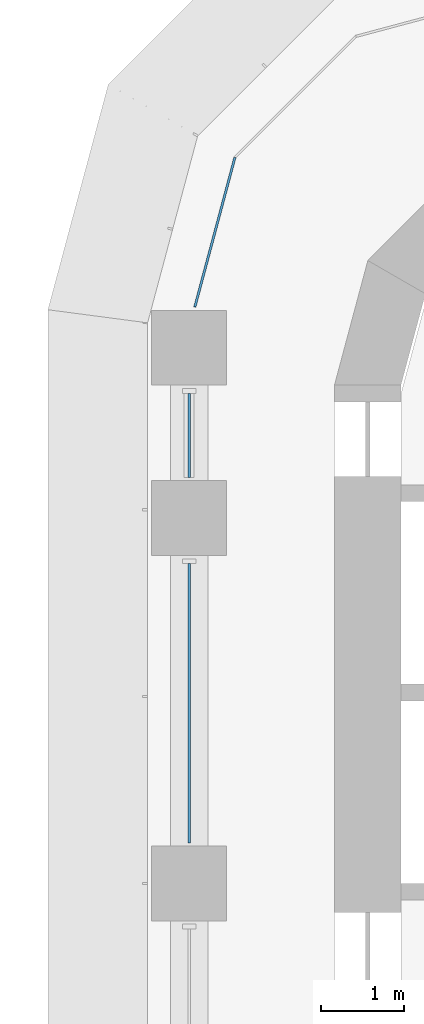
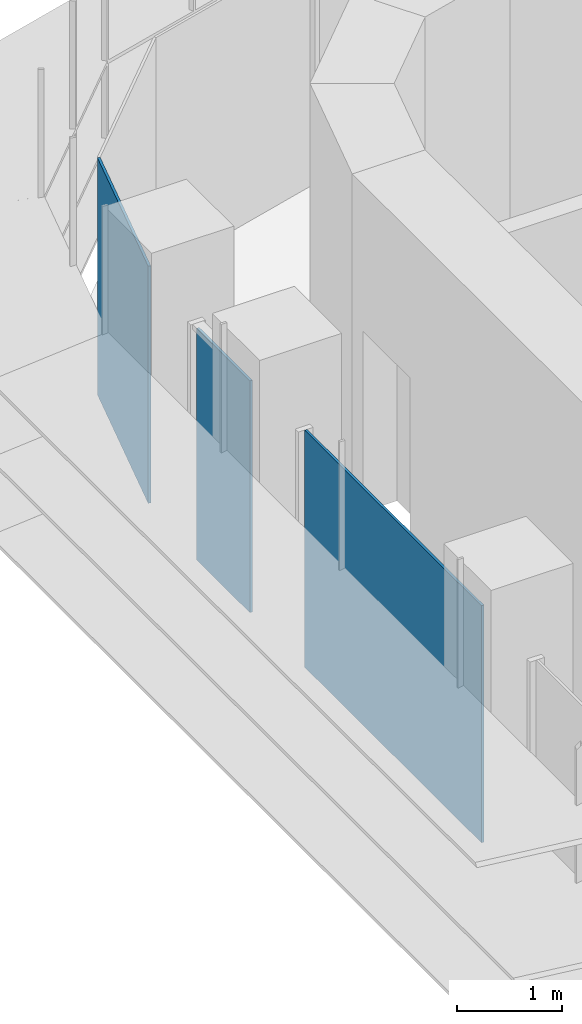
# One storey, part 13 of 22: 3 plates, 2 elements without a shape of their own.
"""IFC4 building model written with IfcOpenShell, lengths in metres."""

from ifc_helpers import new_model, si_unit, direction, frame, origin, place, context, subcontext, project, spatial, polyline, outline, extrude, source, transform, mapped, material, layer, layer_set, type_object, element, aggregate, save


model = new_model("IFC4")

# Units and contexts
model_context = context("Model", 3, precision=1e-05, world=origin(), true_north=direction((0.0, 1.0)))
body_context = subcontext(model_context, "Body", "Model", "MODEL_VIEW")
ifc_project = project(units=[si_unit("LENGTHUNIT", "METRE"), si_unit("AREAUNIT", "SQUARE_METRE"), si_unit("VOLUMEUNIT", "CUBIC_METRE"), si_unit("PLANEANGLEUNIT", "RADIAN"), si_unit("MASSUNIT", "GRAM", prefix="KILO")], contexts=[model_context])

# Site, building, storey
site_placement = place(None, origin())
site = spatial("IfcSite", under=ifc_project, at=site_placement, CompositionType="ELEMENT")
building_placement = place(site_placement, origin())
building = spatial("IfcBuilding", under=site, at=building_placement, Name="Zarbagh Exchange Tower", CompositionType="ELEMENT")
storey_placement = place(building_placement, frame((0.0, 0.0, 98.0)))
storey = spatial("IfcBuildingStorey", under=building, at=storey_placement, Name="L22", CompositionType="ELEMENT", Elevation=98.0)

# Curtain wall, plate
ifc_material_1 = material(Name="Anodised aluminium frame and glazing", Category="aluminium")
curtain_wall_type = type_object("IfcCurtainWallType", Name="CWA Ribbon glazing, lower zones", PredefinedType="NOTDEFINED", material=ifc_material_1)
curtain_wall_1_placement = place(storey_placement, origin())
curtain_wall_1 = element("IfcCurtainWall", 1, at=curtain_wall_1_placement, inside=storey, type_object=curtain_wall_type, Name="CWA56 curtain wall", PredefinedType="NOTDEFINED")
ifc_material_2 = material(Name="Low-e double glazed unit, 6+12+6 mm")
ifc_layer = layer(ifc_material_2, 0.028076171875)
ifc_layer_set = layer_set([ifc_layer], Name="PAA Glazing panel, Low-e double glazed unit, 6+12+6 mm")
plate_type = type_object("IfcPlateType", Name="PAA Glazing panel, Low-e double glazed unit, 6+12+6 mm", PredefinedType="CURTAIN_PANEL", material=ifc_layer_set)
shared_shape_1 = source(origin(), body_context, "Body", "SweptSolid", [
    extrude(outline(polyline([(0.0, -0.013916015625), (3.360107421875, -0.013916015625), (3.360107421875, 0.013916015625), (0.0, 0.013916015625), (0.0, -0.013916015625)])), origin(), (0.0, 0.0, 1.0), 2.75),
])
placement = place(storey_placement, origin())
plate_1 = element("IfcPlate", 2, at=placement, type_object=plate_type, Name="CWA56 glazing panel 2.1", PredefinedType="CURTAIN_PANEL", context=body_context, shape_type="MappedRepresentation", body=[
    mapped(shared_shape_1, transform((-6.25, 24.099853515625, 0.0), x_axis=(0.0, -1.0, 0.0), y_axis=(1.0, 0.0, 0.0), z_axis=(0.0, 0.0, 1.0))),
])

curtain_wall_2_placement = place(storey_placement, origin())
curtain_wall_2 = element("IfcCurtainWall", 3, at=curtain_wall_2_placement, inside=storey, type_object=curtain_wall_type, Name="CWA55 curtain wall", PredefinedType="NOTDEFINED")
shared_shape_2 = source(origin(), body_context, "Body", "SweptSolid", [
    extrude(outline(polyline([(0.0, -0.013916015625), (1.86474609375, -0.013916015625), (1.86474609375, 0.013916015625), (0.0, 0.013916015625), (0.0, -0.013916015625)])), origin(), (0.0, 0.0, 1.0), 2.75),
])
plate_2 = element("IfcPlate", 4, at=placement, type_object=plate_type, Name="CWA55 glazing panel 1.1", PredefinedType="CURTAIN_PANEL", context=body_context, shape_type="MappedRepresentation", body=[
    mapped(shared_shape_2, transform((-5.69873046875, 28.9912109375, 0.0), x_axis=(-0.258824779902, -0.965924289636, 0.0), y_axis=(0.965924289636, -0.258824779902, 0.0), z_axis=(0.0, 0.0, 1.0))),
])
aggregate(curtain_wall_2, [plate_2])

# Plate
shared_shape_3 = source(origin(), body_context, "Body", "SweptSolid", [
    extrude(outline(polyline([(0.0, -0.013916015625), (1.010009765625, -0.013916015625), (1.010009765625, 0.013916015625), (0.0, 0.013916015625), (0.0, -0.013916015625)])), origin(), (0.0, 0.0, 1.0), 2.68994140625),
])
plate_3 = element("IfcPlate", 5, at=placement, type_object=plate_type, Name="CWA56 glazing panel 1.1", PredefinedType="CURTAIN_PANEL", context=body_context, shape_type="MappedRepresentation", body=[
    mapped(shared_shape_3, transform((-6.25, 26.14990234375, 0.0), x_axis=(0.0, -1.0, 0.0), y_axis=(1.0, 0.0, 0.0), z_axis=(0.0, 0.0, 1.0))),
])

aggregate(curtain_wall_1, [plate_3, plate_1])

save(model, "model.ifc")
